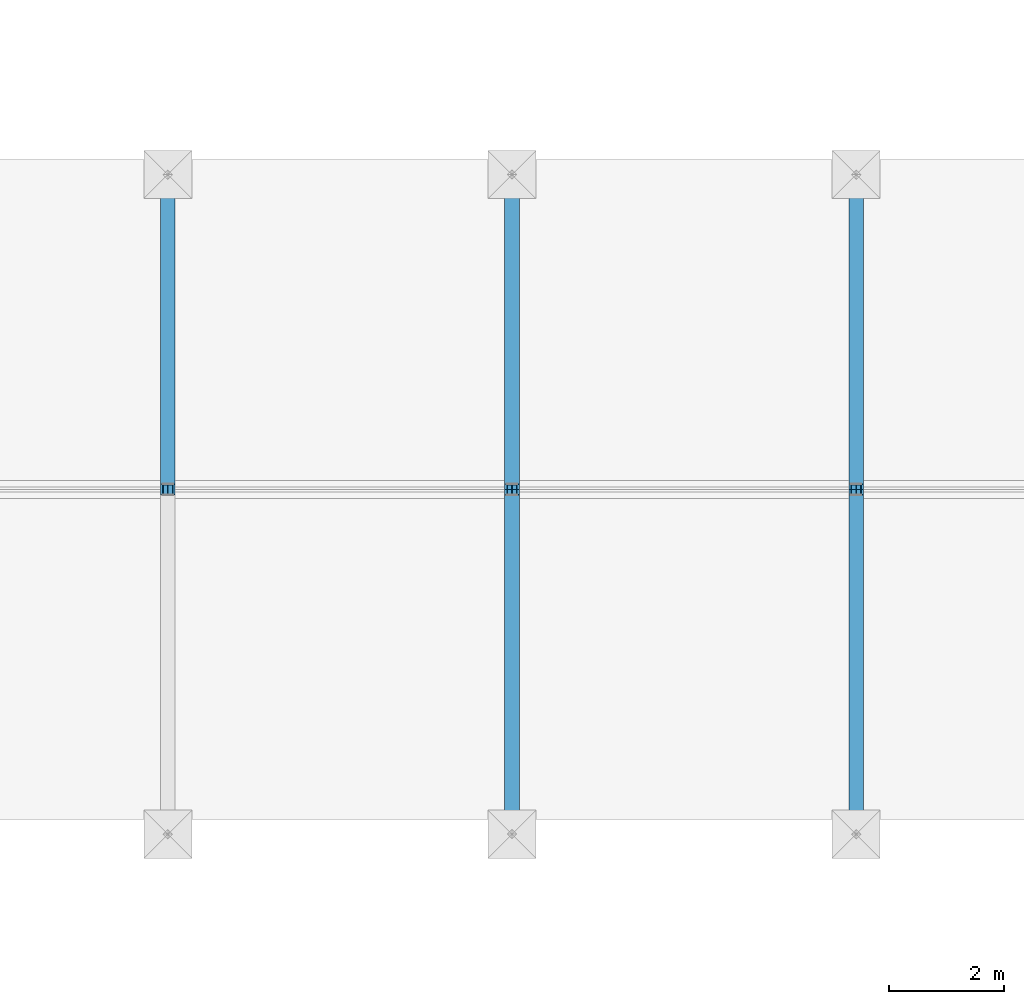
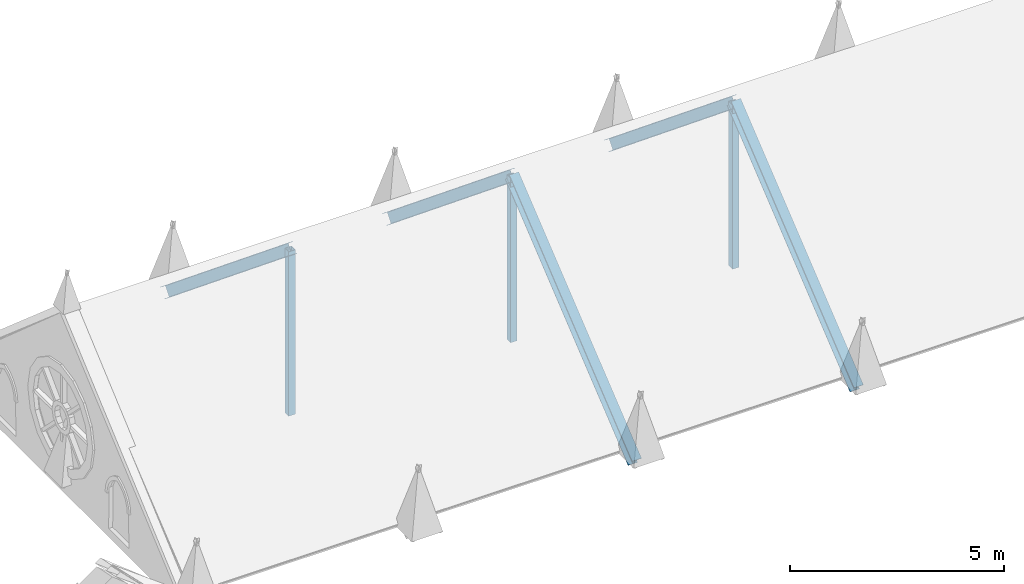
# One storey, part 2 of 33: 8 members.
"""IFC4 building model written with IfcOpenShell, lengths in metres."""

from ifc_helpers import new_model, si_unit, direction, frame, origin, origin_2d, place, context, subcontext, project, spatial, hollow_rectangle, i_section, extrude, material, material_profile, profile_set, type_object, element, save


model = new_model("IFC4")

# Units and contexts
model_context = context("Model", 3, precision=1e-05, world=origin(), true_north=direction((0.0, 1.0)))
body_context = subcontext(model_context, "Body", "Model", "MODEL_VIEW")
ifc_project = project(units=[si_unit("LENGTHUNIT", "METRE"), si_unit("AREAUNIT", "SQUARE_METRE"), si_unit("VOLUMEUNIT", "CUBIC_METRE"), si_unit("PLANEANGLEUNIT", "RADIAN"), si_unit("MASSUNIT", "GRAM", prefix="KILO")], contexts=[model_context])

# Site, building, storey
site_placement = place(None, origin())
site = spatial("IfcSite", under=ifc_project, at=site_placement, CompositionType="ELEMENT")
building_placement = place(site_placement, origin())
building = spatial("IfcBuilding", under=site, at=building_placement, Name="Cumevento Cable Car Station", CompositionType="ELEMENT")
storey_placement = place(building_placement, frame((0.0, 0.0, 22.5)))
storey = spatial("IfcBuildingStorey", under=building, at=storey_placement, Name="RF", CompositionType="ELEMENT", Elevation=22.5)

# Members
ifc_material_1 = material(Name="Steel ASTM A572 Grade 50", Category="steel")
ifc_material_profile_1 = material_profile(ifc_material_1, hollow_rectangle(XDim=0.179931640625, YDim=0.179931640625, WallThickness=0.010009765625, at=origin_2d()), Name="HSS180x180x10.0")
ifc_profile_set_1 = profile_set([ifc_material_profile_1], Name="Steel ASTM A572 Grade 50")
member_type_1 = type_object("IfcMemberType", Name="Framing Brace BR-01 HSS180x180x10.0", PredefinedType="BRACE", material=ifc_profile_set_1)
for number, where, z_axis, x_axis, name in (
    (1, (28.0, 50.75, 0.0), (0.0, 0.0, 1.0), (1.0, 0.0, 0.0), "Wing B_V6c King Post #738"),
    (2, (34.0, 50.75, 0.0), (0.0, 0.0, 1.0), (1.0, 0.0, 0.0), "Wing B_V6c King Post #741"),
    (3, (40.0, 50.75, 0.0), (0.0, 0.0, 1.0), (1.0, 0.0, 0.0), "Wing B_V6c King Post #744"),
):
    element("IfcMember", number, at=place(storey_placement, frame(where, z_axis=z_axis, x_axis=x_axis)), inside=storey, type_object=member_type_1, Name=name, PredefinedType="BRACE", context=body_context, shape_type="SweptSolid", body=[
        extrude(hollow_rectangle(XDim=0.179931640625, YDim=0.179931640625, WallThickness=0.010009765625, at=origin_2d()), origin(), (0.0, 0.0, 1.0), 4.699951171875),
    ])
ifc_material_2 = material(Name="Steel ASTM A572 Grade 50", Category="steel")
ifc_material_profile_2 = material_profile(ifc_material_2, i_section(OverallWidth=0.25390625, OverallDepth=0.305908203125, WebThickness=0.0087890625, FlangeThickness=0.0146484375, at=origin_2d()), Name="W310x79.0")
ifc_profile_set_2 = profile_set([ifc_material_profile_2], Name="Steel ASTM A572 Grade 50")
member_type_2 = type_object("IfcMemberType", Name="Framing Chord TC-03 W310x79.0", PredefinedType="CHORD", material=ifc_profile_set_2)
for number, where, z_axis, x_axis, name in (
    (4, (28.0, 56.5, 0.0), (0.0, -0.774260404587, 0.632867147108), (1.0, 0.0, 0.0), "Wing B_V6c Rafter #740"),
    (5, (34.0, 45.0, 0.0), (0.0, 0.774260404587, 0.632867147108), (-1.0, 0.0, 0.0), "Wing B_V6c Rafter #742"),
    (6, (34.0, 56.5, 0.0), (0.0, -0.774260404587, 0.632867147108), (1.0, 0.0, 0.0), "Wing B_V6c Rafter #743"),
    (7, (40.0, 45.0, 0.0), (0.0, 0.774260404587, 0.632867147108), (-1.0, 0.0, 0.0), "Wing B_V6c Rafter #745"),
    (8, (40.0, 56.5, 0.0), (0.0, -0.774260404587, 0.632867147108), (1.0, 0.0, 0.0), "Wing B_V6c Rafter #746"),
):
    element("IfcMember", number, at=place(storey_placement, frame(where, z_axis=z_axis, x_axis=x_axis)), inside=storey, type_object=member_type_2, Name=name, PredefinedType="CHORD", context=body_context, shape_type="SweptSolid", body=[
        extrude(i_section(OverallWidth=0.25390625, OverallDepth=0.305908203125, WebThickness=0.0087890625, FlangeThickness=0.0146484375, at=origin_2d()), origin(), (0.0, 0.0, 1.0), 7.426513671875),
    ])

save(model, "model.ifc")
